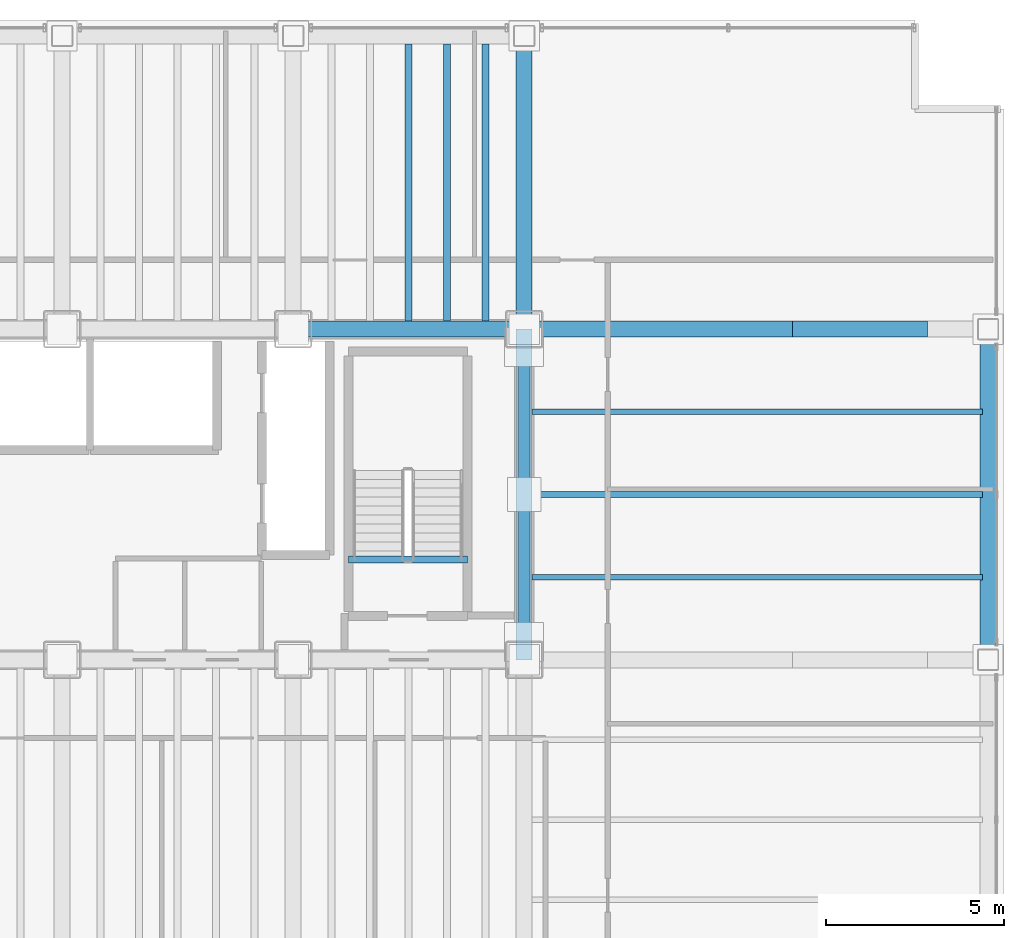
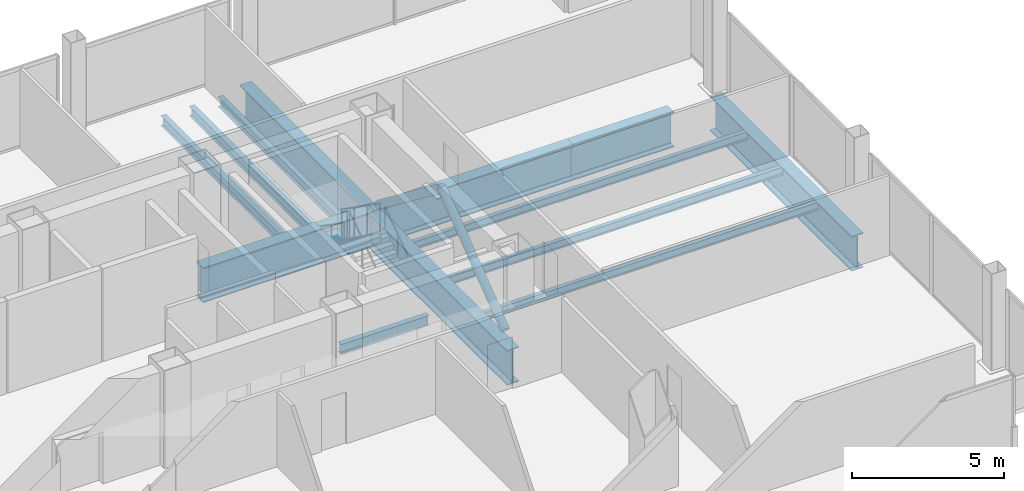
# One storey, part 14 of 23: 13 beams, 2 members.
"""IFC4 building model written with IfcOpenShell, lengths in metres."""

import ifcopenshell
import ifcopenshell.guid

model = None  # the IFC model being written
_history = None  # IfcOwnerHistory: only IFC2X3 demands one
_inside = {}  # id of a spatial element -> (the spatial element, [elements in it])
_under = {}  # id of a project, library or spatial element -> (it, [spatial elements below it])
_declared = {}  # id of a project -> (the project, [libraries it declares])
_typed = {}  # id of a type object -> (the type object, [elements of that type])
_made_of = {}  # id of a material, layer set ... -> (it, [elements and type objects made of it])


def new_model(schema):
    """Start an empty IFC model of exactly this schema.

    Asked for "IFC4X3", IfcOpenShell would pick the latest addendum, in which some entities
    have other attributes; the version numbers below select the first issue.
    IFC2X3 requires an IfcOwnerHistory on every rooted entity: one is made here for all.
    """
    global model, _history
    if schema == "IFC4X3":
        model = ifcopenshell.file(schema_version=(4, 3, 0, 0))
    else:
        model = ifcopenshell.file(schema=schema)
    _inside.clear()
    _under.clear()
    _declared.clear()
    _typed.clear()
    _made_of.clear()
    _history = None
    if model.schema == "IFC2X3":
        org = make("IfcOrganization", Name="unknown")
        user = make(
            "IfcPersonAndOrganization",
            ThePerson=make("IfcPerson", FamilyName="unknown"),
            TheOrganization=org,
        )
        app = make(
            "IfcApplication",
            ApplicationDeveloper=org,
            Version="unknown",
            ApplicationFullName="unknown",
            ApplicationIdentifier="unknown",
        )
        _history = make(
            "IfcOwnerHistory",
            OwningUser=user,
            OwningApplication=app,
            ChangeAction="ADDED",
            CreationDate=0,
        )
    return model


def make(cls, **values):
    """One entity of the class cls with the attributes given. An attribute that is None is left unset."""
    return model.create_entity(
        cls, **{name: value for name, value in values.items() if value is not None}
    )


def rooted(cls, **values):
    """An entity with a GlobalId (a new one), such as an element, a storey or a relation."""
    return make(cls, GlobalId=ifcopenshell.guid.new(), OwnerHistory=_history, **values)


def si_unit(unit_type, name, prefix=None):
    """IfcSIUnit, for example si_unit("LENGTHUNIT", "METRE", prefix="MILLI")."""
    return make("IfcSIUnit", UnitType=unit_type, Prefix=prefix, Name=name)


def assignment(units):
    """IfcUnitAssignment: the units of a project."""
    return None if units is None else make("IfcUnitAssignment", Units=units)


def point(xyz):
    """IfcCartesianPoint."""
    return None if xyz is None else make("IfcCartesianPoint", Coordinates=xyz)


def direction(xyz):
    """IfcDirection."""
    return None if xyz is None else make("IfcDirection", DirectionRatios=xyz)


def frame(location, z_axis=None, x_axis=None):
    """IfcAxis2Placement3D, a coordinate frame: its origin and axes. An axis left out is left unset."""
    return make(
        "IfcAxis2Placement3D",
        Location=point(location),
        Axis=direction(z_axis),
        RefDirection=direction(x_axis),
    )


def frame_2d(location, x_axis=None):
    """IfcAxis2Placement2D, a coordinate frame in the plane: its origin and x axis."""
    return make(
        "IfcAxis2Placement2D", Location=point(location), RefDirection=direction(x_axis)
    )


def origin():
    """The frame at (0, 0, 0) with its axes left unset."""
    return frame((0.0, 0.0, 0.0))


def origin_2d():
    """The frame at (0, 0) in the plane with its x axis left unset."""
    return frame_2d((0.0, 0.0))


def place(relative_to, where):
    """IfcLocalPlacement: puts the frame where relative to a parent placement (None: the world)."""
    return make(
        "IfcLocalPlacement", PlacementRelTo=relative_to, RelativePlacement=where
    )


def context(
    kind, dimensions, precision=None, world=None, true_north=None, identifier=None
):
    """IfcGeometricRepresentationContext, for example the 3D "Model" context."""
    return make(
        "IfcGeometricRepresentationContext",
        ContextIdentifier=identifier,
        ContextType=kind,
        CoordinateSpaceDimension=dimensions,
        Precision=precision,
        WorldCoordinateSystem=world,
        TrueNorth=true_north,
    )


def subcontext(parent, identifier, kind, view, scale=None):
    """IfcGeometricRepresentationSubContext, for example "Body" below "Model"."""
    return make(
        "IfcGeometricRepresentationSubContext",
        ContextIdentifier=identifier,
        ContextType=kind,
        ParentContext=parent,
        TargetScale=scale,
        TargetView=view,
    )


def project(units=None, contexts=None):
    """IfcProject with its units and contexts."""
    return rooted(
        "IfcProject",
        Name="project",
        RepresentationContexts=contexts,
        UnitsInContext=assignment(units),
    )


def spatial(cls, under=None, at=None, **own):
    """A site, building, storey or space (cls), placed at a placement, below another one or the project."""
    s = rooted(cls, ObjectPlacement=at, **own)
    if under is not None:
        _under.setdefault(under.id(), (under, []))[1].append(s)
    return s


def profile(cls, at=None, kind="AREA", **sizes):
    """A parametric profile (cls). Its sizes go by their IFC names, for example OverallWidth=200.0."""
    return make(cls, ProfileType=kind, Position=at, **sizes)


def hollow_circle(**sizes):
    """IfcCircleHollowProfileDef."""
    return profile("IfcCircleHollowProfileDef", **sizes)


def i_section(**sizes):
    """IfcIShapeProfileDef."""
    return profile("IfcIShapeProfileDef", **sizes)


def extrude(swept, where, along, depth):
    """IfcExtrudedAreaSolid: the profile swept, set in the frame where, extruded along a direction by depth."""
    return make(
        "IfcExtrudedAreaSolid",
        SweptArea=swept,
        Position=where,
        ExtrudedDirection=direction(along),
        Depth=depth,
    )


def shape(context_of_items, identifier, shape_type, items):
    """IfcShapeRepresentation: the items that make up one representation, for example the "Body"."""
    return make(
        "IfcShapeRepresentation",
        ContextOfItems=context_of_items,
        RepresentationIdentifier=identifier,
        RepresentationType=shape_type,
        Items=items,
    )


def material(Name=None, Category=None):
    """IfcMaterial."""
    return make("IfcMaterial", Name=Name, Category=Category)


def material_profile(
    of_material, cross_section, Name=None, Category=None, Priority=None
):
    """IfcMaterialProfile: a cross section and its material."""
    return make(
        "IfcMaterialProfile",
        Name=Name,
        Material=of_material,
        Profile=cross_section,
        Priority=Priority,
        Category=Category,
    )


def profile_set(profiles, Name=None, composite=None):
    """IfcMaterialProfileSet."""
    return make(
        "IfcMaterialProfileSet",
        Name=Name,
        MaterialProfiles=profiles,
        CompositeProfile=composite,
    )


def made_of(thing, what):
    """Note that an element or type object is made of a material, layer set ...; save() writes the relation."""
    if what is not None:
        _made_of.setdefault(what.id(), (what, []))[1].append(thing)
    return thing


def type_object(cls, material=None, **own):
    """A type object (cls), such as IfcWallType, which elements share."""
    return made_of(rooted(cls, **own), material)


def element(
    cls,
    number,
    at=None,
    inside=None,
    cuts=None,
    type_object=None,
    material=None,
    context=None,
    identifier="Body",
    shape_type=None,
    held_by="IfcProductDefinitionShape",
    body=None,
    shapes=None,
    **own,
):
    """One element of the class cls, such as IfcWall. Its Tag is "e" and its number.

    at: its placement. inside: the storey or other place that contains it. cuts: it is an
    opening in that element (IfcRelVoidsElement). A single representation is given by context,
    identifier, shape_type and body (its items); several are given by shapes. held_by: the class
    of the entity that holds the representations. save() writes the other relations.
    """
    e = rooted(cls, Tag="e%d" % number, ObjectPlacement=at, **own)
    if body is not None:
        shapes = [shape(context, identifier, shape_type, body)]
    if shapes is not None:
        e.Representation = make(held_by, Representations=shapes)
    if inside is not None:
        _inside.setdefault(inside.id(), (inside, []))[1].append(e)
    if cuts is not None:
        rooted(
            "IfcRelVoidsElement", RelatingBuildingElement=cuts, RelatedOpeningElement=e
        )
    if type_object is not None:
        _typed.setdefault(type_object.id(), (type_object, []))[1].append(e)
    return made_of(e, material)


def aggregate(whole, parts):
    """IfcRelAggregates: a whole, such as a stair, and the parts it consists of."""
    return rooted("IfcRelAggregates", RelatingObject=whole, RelatedObjects=parts)


def save(model, path):
    """Write the relations noted so far, then the file.

    IfcRelAggregates (storeys below a building ...), IfcRelContainedInSpatialStructure (elements
    in a storey), IfcRelDefinesByType, IfcRelAssociatesMaterial and IfcRelDeclares: one each for
    every whole, place, type object, material and project.
    """
    for whole, parts in _under.values():
        aggregate(whole, parts)
    for where, things in _inside.values():
        rooted(
            "IfcRelContainedInSpatialStructure",
            RelatedElements=things,
            RelatingStructure=where,
        )
    for kind, things in _typed.values():
        rooted("IfcRelDefinesByType", RelatedObjects=things, RelatingType=kind)
    for what, things in _made_of.values():
        rooted("IfcRelAssociatesMaterial", RelatedObjects=things, RelatingMaterial=what)
    for by, libraries in _declared.values():
        rooted("IfcRelDeclares", RelatingContext=by, RelatedDefinitions=libraries)
    model.write(path)


model = new_model("IFC4")

# Units and contexts
model_context = context("Model", 3, precision=1e-05, world=origin(), true_north=direction((0.0, 1.0)))
body_context = subcontext(model_context, "Body", "Model", "MODEL_VIEW")
ifc_project = project(units=[si_unit("LENGTHUNIT", "METRE"), si_unit("AREAUNIT", "SQUARE_METRE"), si_unit("VOLUMEUNIT", "CUBIC_METRE"), si_unit("PLANEANGLEUNIT", "RADIAN"), si_unit("MASSUNIT", "GRAM", prefix="KILO")], contexts=[model_context])

# Site, building, storey
site_placement = place(None, origin())
site = spatial("IfcSite", under=ifc_project, at=site_placement, CompositionType="ELEMENT")
building_placement = place(site_placement, origin())
building = spatial("IfcBuilding", under=site, at=building_placement, Name="Noeulbin Bourse Tower", CompositionType="ELEMENT")
storey_placement = place(building_placement, frame((0.0, 0.0, 53.800048828125)))
storey = spatial("IfcBuildingStorey", under=building, at=storey_placement, Name="L13", CompositionType="ELEMENT", Elevation=53.800048828125)

# Beams
ifc_material_1 = material(Name="Steel S355", Category="steel")
ifc_material_profile_1 = material_profile(ifc_material_1, i_section(OverallWidth=0.159912109375, OverallDepth=0.320068359375, WebThickness=0.006591796875, FlangeThickness=0.010009765625, FilletRadius=0.012939453125, at=origin_2d()), Name="H-320x160x6.5x10", Category="LoadBearing")
ifc_profile_set_1 = profile_set([ifc_material_profile_1], Name="Steel S355")
beam_type_1 = type_object("IfcBeamType", Name="BM-JST-320", PredefinedType="JOIST", material=ifc_profile_set_1)
for number, where, z_axis, x_axis, name in (
    (1, (44.22509765625, 31.324951171875, -0.400146484375), (1.0, 0.0, 0.0), (0.0, 1.0, 0.0), "Wing Composite Joist L13-E79"),
    (2, (44.22509765625, 33.64990234375, -0.400146484375), (1.0, 0.0, 0.0), (0.0, 1.0, 0.0), "Wing Composite Joist L13-E80"),
    (3, (44.22509765625, 35.97509765625, -0.400146484375), (1.0, 0.0, 0.0), (0.0, 1.0, 0.0), "Wing Composite Joist L13-E81"),
):
    element("IfcBeam", number, at=place(storey_placement, frame(where, z_axis=z_axis, x_axis=x_axis)), inside=storey, type_object=beam_type_1, Name=name, PredefinedType="JOIST", context=body_context, shape_type="SweptSolid", body=[
        extrude(i_section(OverallWidth=0.159912109375, OverallDepth=0.320068359375, WebThickness=0.006591796875, FlangeThickness=0.010009765625, FilletRadius=0.012939453125, at=origin_2d()), origin(), (0.0, 0.0, 1.0), 12.6748046875),
    ])
ifc_material_profile_2 = material_profile(ifc_material_1, i_section(OverallWidth=0.199951171875, OverallDepth=0.39990234375, WebThickness=0.008056640625, FlangeThickness=0.012939453125, FilletRadius=0.01611328125, at=origin_2d()), Name="H-400x200x8x13", Category="LoadBearing")
ifc_profile_set_2 = profile_set([ifc_material_profile_2], Name="Steel S355")
beam_type_2 = type_object("IfcBeamType", Name="BM-SEC-400", PredefinedType="BEAM", material=ifc_profile_set_2)
for number, where, z_axis, x_axis, name in (
    (4, (40.75, 38.52490234375, -0.43994140625), (0.0, 1.0, 0.0), (-1.0, 0.0, 0.0), "Tower Composite Joist L13-63"),
    (5, (41.833251953125, 38.52490234375, -0.43994140625), (0.0, 1.0, 0.0), (-1.0, 0.0, 0.0), "Tower Composite Joist L13-66"),
    (6, (42.916748046875, 38.52490234375, -0.43994140625), (0.0, 1.0, 0.0), (-1.0, 0.0, 0.0), "Tower Composite Joist L13-69"),
):
    element("IfcBeam", number, at=place(storey_placement, frame(where, z_axis=z_axis, x_axis=x_axis)), inside=storey, type_object=beam_type_2, Name=name, PredefinedType="BEAM", context=body_context, shape_type="SweptSolid", body=[
        extrude(i_section(OverallWidth=0.199951171875, OverallDepth=0.39990234375, WebThickness=0.008056640625, FlangeThickness=0.012939453125, FilletRadius=0.01611328125, at=origin_2d()), origin(), (0.0, 0.0, 1.0), 7.800048828125),
    ])
beam_1_placement = place(storey_placement, frame((39.06005859375, 31.820068359375, -0.199951171875), z_axis=(1.0, 0.0, 0.0), x_axis=(0.0, 1.0, 0.0)))
element("IfcBeam", 7, at=beam_1_placement, inside=storey, type_object=beam_type_2, Name="Stair Threshold Trimmer Beam ST2-L13", PredefinedType="BEAM", context=body_context, shape_type="SweptSolid", body=[
    extrude(i_section(OverallWidth=0.199951171875, OverallDepth=0.39990234375, WebThickness=0.008056640625, FlangeThickness=0.012939453125, FilletRadius=0.01611328125, at=origin_2d()), origin(), (0.0, 0.0, 1.0), 3.33984375),
])
ifc_material_2 = material(Name="Steel S460", Category="steel")
ifc_material_profile_3 = material_profile(ifc_material_2, i_section(OverallWidth=0.449951171875, OverallDepth=1.39990234375, WebThickness=0.02392578125, FlangeThickness=0.0400390625, FilletRadius=0.02392578125, at=origin_2d()), Name="PG-1400x450x24x40", Category="LoadBearing")
ifc_profile_set_3 = profile_set([ifc_material_profile_3], Name="Steel S460")
beam_type_3 = type_object("IfcBeamType", Name="BM-TRF-1400", PredefinedType="USERDEFINED", material=ifc_profile_set_3)
beam_2_placement = place(storey_placement, frame((37.5, 38.300048828125, -0.93994140625), z_axis=(1.0, 0.0, 0.0), x_axis=(0.0, 1.0, 0.0)))
element("IfcBeam", 8, at=beam_2_placement, inside=storey, type_object=beam_type_3, Name="Tower Primary Girder EW L13-3.5", ObjectType="GIRDER", PredefinedType="USERDEFINED", context=body_context, shape_type="SweptSolid", body=[
    extrude(i_section(OverallWidth=0.449951171875, OverallDepth=1.39990234375, WebThickness=0.02392578125, FlangeThickness=0.0400390625, FilletRadius=0.02392578125, at=origin_2d()), origin(), (0.0, 0.0, 1.0), 6.5),
])
beam_3_placement = place(storey_placement, frame((44.0, 38.300048828125, -0.93994140625), z_axis=(1.0, 0.0, 0.0), x_axis=(0.0, 1.0, 0.0)))
element("IfcBeam", 9, at=beam_3_placement, inside=storey, type_object=beam_type_3, Name="Tower Primary Girder EW L13-3.6", ObjectType="GIRDER", PredefinedType="USERDEFINED", context=body_context, shape_type="SweptSolid", body=[
    extrude(i_section(OverallWidth=0.449951171875, OverallDepth=1.39990234375, WebThickness=0.02392578125, FlangeThickness=0.0400390625, FilletRadius=0.02392578125, at=origin_2d()), origin(), (0.0, 0.0, 1.0), 7.550048828125),
])
beam_4_placement = place(storey_placement, frame((51.550048828125, 38.300048828125, -0.93994140625), z_axis=(1.0, 0.0, 0.0), x_axis=(0.0, 1.0, 0.0)))
element("IfcBeam", 10, at=beam_4_placement, inside=storey, type_object=beam_type_3, Name="Tower Primary Girder EW L13-3.7", ObjectType="GIRDER", PredefinedType="USERDEFINED", context=body_context, shape_type="SweptSolid", body=[
    extrude(i_section(OverallWidth=0.449951171875, OverallDepth=1.39990234375, WebThickness=0.02392578125, FlangeThickness=0.0400390625, FilletRadius=0.02392578125, at=origin_2d()), origin(), (0.0, 0.0, 1.0), 3.800048828125),
])
beam_5_placement = place(storey_placement, frame((44.0, 29.0, -0.93994140625), z_axis=(0.0, 1.0, 0.0), x_axis=(-1.0, 0.0, 0.0)))
element("IfcBeam", 11, at=beam_5_placement, inside=storey, type_object=beam_type_3, Name="Tower Primary Girder NS L13-5.3", ObjectType="GIRDER", PredefinedType="USERDEFINED", context=body_context, shape_type="SweptSolid", body=[
    extrude(i_section(OverallWidth=0.449951171875, OverallDepth=1.39990234375, WebThickness=0.02392578125, FlangeThickness=0.0400390625, FilletRadius=0.02392578125, at=origin_2d()), origin(), (0.0, 0.0, 1.0), 9.300048828125),
])
beam_6_placement = place(storey_placement, frame((44.0, 38.300048828125, -0.93994140625), z_axis=(0.0, 1.0, 0.0), x_axis=(-1.0, 0.0, 0.0)))
element("IfcBeam", 12, at=beam_6_placement, inside=storey, type_object=beam_type_3, Name="Tower Primary Girder NS L13-5.4", ObjectType="GIRDER", PredefinedType="USERDEFINED", context=body_context, shape_type="SweptSolid", body=[
    extrude(i_section(OverallWidth=0.449951171875, OverallDepth=1.39990234375, WebThickness=0.02392578125, FlangeThickness=0.0400390625, FilletRadius=0.02392578125, at=origin_2d()), origin(), (0.0, 0.0, 1.0), 8.25),
])
beam_7_placement = place(storey_placement, frame((57.050048828125, 29.0, -0.93994140625), z_axis=(0.0, 1.0, 0.0), x_axis=(-1.0, 0.0, 0.0)))
element("IfcBeam", 13, at=beam_7_placement, inside=storey, type_object=beam_type_3, Name="East Spandrel L13-2", ObjectType="GIRDER", PredefinedType="USERDEFINED", context=body_context, shape_type="SweptSolid", body=[
    extrude(i_section(OverallWidth=0.449951171875, OverallDepth=1.39990234375, WebThickness=0.02392578125, FlangeThickness=0.0400390625, FilletRadius=0.02392578125, at=origin_2d()), origin(), (0.0, 0.0, 1.0), 9.300048828125),
])

# Members
ifc_material_profile_4 = material_profile(ifc_material_1, hollow_circle(Radius=0.1591796875, WallThickness=0.01025390625, at=origin_2d()), Name="CHS-318.5x10.3", Category="LoadBearing")
ifc_profile_set_4 = profile_set([ifc_material_profile_4], Name="Steel S355")
member_type = type_object("IfcMemberType", Name="MEM-EXO-318", PredefinedType="BRACE", material=ifc_profile_set_4)
for number, where, z_axis, x_axis, name in (
    (14, (44.0, 29.5, 0.199951171875), (0.0, 0.794684163041, 0.607023130541), (-1.0, 0.0, 0.0), "Core Flank Chevron Brace XT-L13-E1"),
    (15, (44.0, 33.64990234375, 3.369873046875), (0.0, 0.794701388985, -0.607000578538), (-1.0, 0.0, 0.0), "Core Flank Chevron Brace XT-L13-E2"),
):
    element("IfcMember", number, at=place(storey_placement, frame(where, z_axis=z_axis, x_axis=x_axis)), inside=storey, type_object=member_type, Name=name, PredefinedType="BRACE", context=body_context, shape_type="SweptSolid", body=[
        extrude(hollow_circle(Radius=0.1591796875, WallThickness=0.01025390625, at=origin_2d()), origin(), (0.0, 0.0, 1.0), 5.22216796875),
    ])

save(model, "model.ifc")
